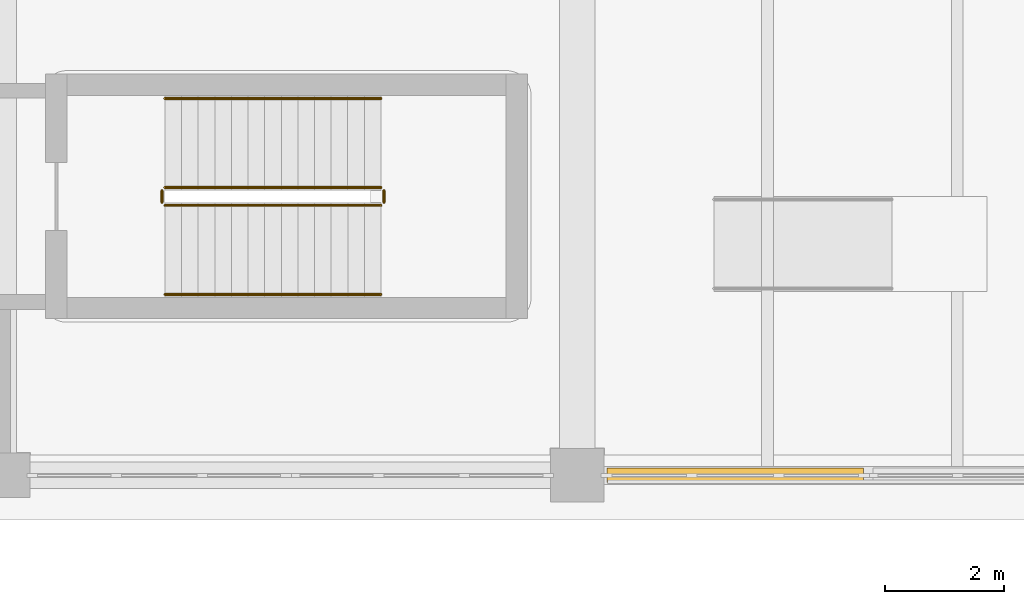
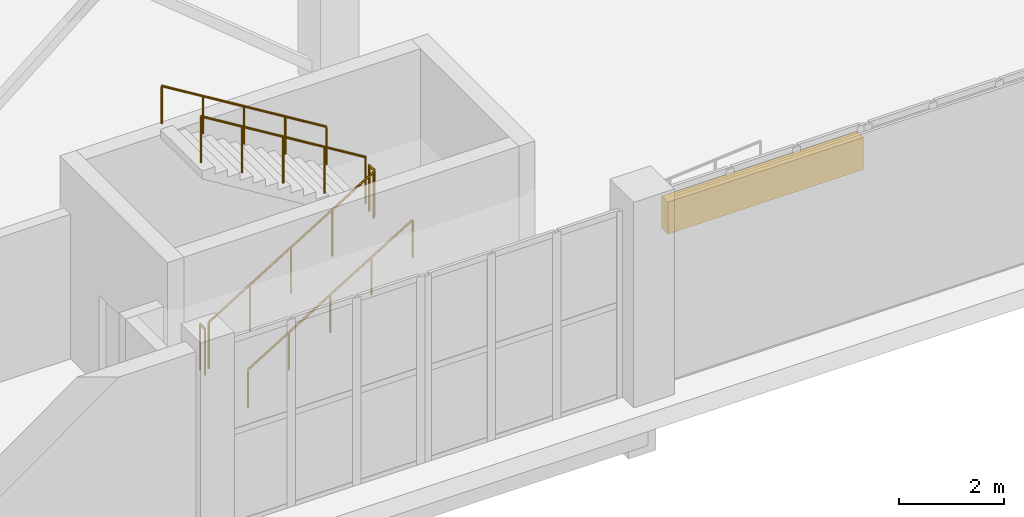
# One storey, part 110 of 121: 6 railings, 1 covering.
"""IFC4 building model written with IfcOpenShell, lengths in metres."""

from ifc_helpers import new_model, si_unit, direction, frame, origin, origin_2d, place, context, subcontext, project, spatial, rectangle, circle, extrude, material, layer, layer_set, type_object, element, save


model = new_model("IFC4")

# Units and contexts
model_context = context("Model", 3, precision=1e-05, world=origin(), true_north=direction((0.0, 1.0)))
body_context = subcontext(model_context, "Body", "Model", "MODEL_VIEW")
ifc_project = project(units=[si_unit("LENGTHUNIT", "METRE"), si_unit("AREAUNIT", "SQUARE_METRE"), si_unit("VOLUMEUNIT", "CUBIC_METRE"), si_unit("PLANEANGLEUNIT", "RADIAN"), si_unit("MASSUNIT", "GRAM", prefix="KILO")], contexts=[model_context])

# Site, building, storey
site_placement = place(None, origin())
site = spatial("IfcSite", under=ifc_project, at=site_placement, CompositionType="ELEMENT")
building_placement = place(site_placement, origin())
building = spatial("IfcBuilding", under=site, at=building_placement, Name="Zereglee Splitstone Museum", CompositionType="ELEMENT")
storey_placement = place(building_placement, origin())
storey = spatial("IfcBuildingStorey", under=building, at=storey_placement, Name="L00", CompositionType="ELEMENT", Elevation=0.0)

# Covering
ifc_material_1 = material(Name="Honed Gobi pale limestone stringcourse and soffit cladding", Category="masonry")
ifc_layer = layer(ifc_material_1, 0.070068359375)
ifc_layer_set = layer_set([ifc_layer], Name="Honed Gobi pale limestone stringcourse and soffit cladding")
covering_type = type_object("IfcCoveringType", Name="CL-02", PredefinedType="CLADDING", material=ifc_layer_set)
covering_placement = place(storey_placement, frame((99.85888671875, 9.60009765625, 3.52490234375), z_axis=(0.0, 0.0, 1.0), x_axis=(1.0, 0.0, 0.0)))
element("IfcCovering", 1, at=covering_placement, inside=storey, type_object=covering_type, Name="Mughal Carved Clerestory Jaali Frieze RC4-CW-L00-087-1", PredefinedType="CLADDING", context=body_context, shape_type="SweptSolid", body=[
    extrude(rectangle(XDim=4.320068359375, YDim=0.239990234375, at=origin_2d()), origin(), (0.0, 0.0, 1.0), 0.75),
])

# Railings
ifc_material_2 = material(Name="Painted steel S355J2 post-and-baluster guard", Category="steel")
railing_type_1 = type_object("IfcRailingType", Name="GR-03", PredefinedType="BALUSTRADE", material=ifc_material_2)
railing_1_placement = place(storey_placement, frame((90.25, 14.14990234375, 0.17138671875)))
element("IfcRailing", 2, at=railing_1_placement, inside=storey, type_object=railing_type_1, Name="L00 ST-06 stair guard 1", PredefinedType="BALUSTRADE", context=body_context, shape_type="SweptSolid", body=[
    extrude(circle(Radius=0.02392578125, at=origin_2d()), frame((0.0, 0.0, 1.076416015625), z_axis=(0.852850264322, 0.0, 0.5221555579), x_axis=(0.0, 1.0, 0.0)), (0.0, 0.0, 1.0), 4.267822265625),
    extrude(circle(Radius=0.02099609375, at=origin_2d()), origin(), (0.0, 0.0, 1.0), 1.052001953125),
    extrude(circle(Radius=0.02099609375, at=origin_2d()), frame((0.909912109375, 0.0, 0.55712890625)), (0.0, 0.0, 1.0), 1.052001953125),
    extrude(circle(Radius=0.02099609375, at=origin_2d()), frame((1.81982421875, 0.0, 1.1142578125)), (0.0, 0.0, 1.0), 1.052001953125),
    extrude(circle(Radius=0.02099609375, at=origin_2d()), frame((2.72998046875, 0.0, 1.67138671875)), (0.0, 0.0, 1.0), 1.052001953125),
    extrude(circle(Radius=0.02099609375, at=origin_2d()), frame((3.639892578125, 0.0, 2.228515625)), (0.0, 0.0, 1.0), 1.052001953125),
])
railing_2_placement = place(storey_placement, frame((93.93994140625, 14.199951171875, 2.39990234375)))
element("IfcRailing", 3, at=railing_2_placement, inside=storey, type_object=railing_type_1, Name="L00 ST-06 stair guard 2", PredefinedType="BALUSTRADE", context=body_context, shape_type="SweptSolid", body=[
    extrude(circle(Radius=0.02392578125, at=origin_2d()), frame((0.0, 0.0, 1.076416015625), z_axis=(0.0, 1.0, 0.0), x_axis=(-1.0, 0.0, 0.0)), (0.0, 0.0, 1.0), 0.199951171875),
    extrude(circle(Radius=0.02099609375, at=origin_2d()), origin(), (0.0, 0.0, 1.0), 1.052001953125),
    extrude(circle(Radius=0.02099609375, at=origin_2d()), frame((0.0, 0.199951171875, 0.0)), (0.0, 0.0, 1.0), 1.052001953125),
])
railing_3_placement = place(storey_placement, frame((93.889892578125, 14.449951171875, 2.571533203125)))
element("IfcRailing", 4, at=railing_3_placement, inside=storey, type_object=railing_type_1, Name="L00 ST-06 stair guard 3", PredefinedType="BALUSTRADE", context=body_context, shape_type="SweptSolid", body=[
    extrude(circle(Radius=0.02392578125, at=origin_2d()), frame((0.0, 0.0, 1.076416015625), z_axis=(-0.852850264322, 0.0, 0.5221555579), x_axis=(0.0, -1.0, 0.0)), (0.0, 0.0, 1.0), 4.267822265625),
    extrude(circle(Radius=0.02099609375, at=origin_2d()), origin(), (0.0, 0.0, 1.0), 1.052001953125),
    extrude(circle(Radius=0.02099609375, at=origin_2d()), frame((-0.909912109375, 0.0, 0.55712890625)), (0.0, 0.0, 1.0), 1.052001953125),
    extrude(circle(Radius=0.02099609375, at=origin_2d()), frame((-1.81982421875, 0.0, 1.1142578125)), (0.0, 0.0, 1.0), 1.052001953125),
    extrude(circle(Radius=0.02099609375, at=origin_2d()), frame((-2.72998046875, 0.0, 1.67138671875)), (0.0, 0.0, 1.0), 1.052001953125),
    extrude(circle(Radius=0.02099609375, at=origin_2d()), frame((-3.639892578125, 0.0, 2.228515625)), (0.0, 0.0, 1.0), 1.052001953125),
])
railing_4_placement = place(storey_placement, frame((90.199951171875, 14.199951171875, 0.0)))
element("IfcRailing", 5, at=railing_4_placement, inside=storey, type_object=railing_type_1, Name="L00 ST-06 stair guard 4", PredefinedType="BALUSTRADE", context=body_context, shape_type="SweptSolid", body=[
    extrude(circle(Radius=0.02392578125, at=origin_2d()), frame((0.0, 0.0, 1.076416015625), z_axis=(0.0, 1.0, 0.0), x_axis=(-1.0, 0.0, 0.0)), (0.0, 0.0, 1.0), 0.199951171875),
    extrude(circle(Radius=0.02099609375, at=origin_2d()), origin(), (0.0, 0.0, 1.0), 1.052001953125),
    extrude(circle(Radius=0.02099609375, at=origin_2d()), frame((0.0, 0.199951171875, 0.0)), (0.0, 0.0, 1.0), 1.052001953125),
])
ifc_material_3 = material(Name="Architectural bronze tubular handrail", Category="steel")
railing_type_2 = type_object("IfcRailingType", Name="HR-01", PredefinedType="HANDRAIL", material=ifc_material_3)
railing_5_placement = place(storey_placement, frame((90.25, 12.64990234375, 0.17138671875)))
element("IfcRailing", 6, at=railing_5_placement, inside=storey, type_object=railing_type_2, Name="L00 ST-06 stair handrail 1", PredefinedType="HANDRAIL", context=body_context, shape_type="SweptSolid", body=[
    extrude(circle(Radius=0.02392578125, at=origin_2d()), frame((0.0, 0.0, 0.8759765625), z_axis=(0.852850264322, 0.0, 0.5221555579), x_axis=(0.0, 1.0, 0.0)), (0.0, 0.0, 1.0), 4.267822265625),
    extrude(circle(Radius=0.02099609375, at=origin_2d()), origin(), (0.0, 0.0, 1.0), 0.851806640625),
    extrude(circle(Radius=0.02099609375, at=origin_2d()), frame((0.909912109375, 0.0, 0.55712890625)), (0.0, 0.0, 1.0), 0.851806640625),
    extrude(circle(Radius=0.02099609375, at=origin_2d()), frame((1.81982421875, 0.0, 1.1142578125)), (0.0, 0.0, 1.0), 0.851806640625),
    extrude(circle(Radius=0.02099609375, at=origin_2d()), frame((2.72998046875, 0.0, 1.67138671875)), (0.0, 0.0, 1.0), 0.851806640625),
    extrude(circle(Radius=0.02099609375, at=origin_2d()), frame((3.639892578125, 0.0, 2.228515625)), (0.0, 0.0, 1.0), 0.851806640625),
])
railing_6_placement = place(storey_placement, frame((93.889892578125, 15.949951171875, 2.571533203125)))
element("IfcRailing", 7, at=railing_6_placement, inside=storey, type_object=railing_type_2, Name="L00 ST-06 stair handrail 2", PredefinedType="HANDRAIL", context=body_context, shape_type="SweptSolid", body=[
    extrude(circle(Radius=0.02392578125, at=origin_2d()), frame((0.0, 0.0, 0.8759765625), z_axis=(-0.852850264322, 0.0, 0.5221555579), x_axis=(0.0, -1.0, 0.0)), (0.0, 0.0, 1.0), 4.267822265625),
    extrude(circle(Radius=0.02099609375, at=origin_2d()), origin(), (0.0, 0.0, 1.0), 0.851806640625),
    extrude(circle(Radius=0.02099609375, at=origin_2d()), frame((-0.909912109375, 0.0, 0.55712890625)), (0.0, 0.0, 1.0), 0.851806640625),
    extrude(circle(Radius=0.02099609375, at=origin_2d()), frame((-1.81982421875, 0.0, 1.1142578125)), (0.0, 0.0, 1.0), 0.851806640625),
    extrude(circle(Radius=0.02099609375, at=origin_2d()), frame((-2.72998046875, 0.0, 1.67138671875)), (0.0, 0.0, 1.0), 0.851806640625),
    extrude(circle(Radius=0.02099609375, at=origin_2d()), frame((-3.639892578125, 0.0, 2.228515625)), (0.0, 0.0, 1.0), 0.851806640625),
])

save(model, "model.ifc")
